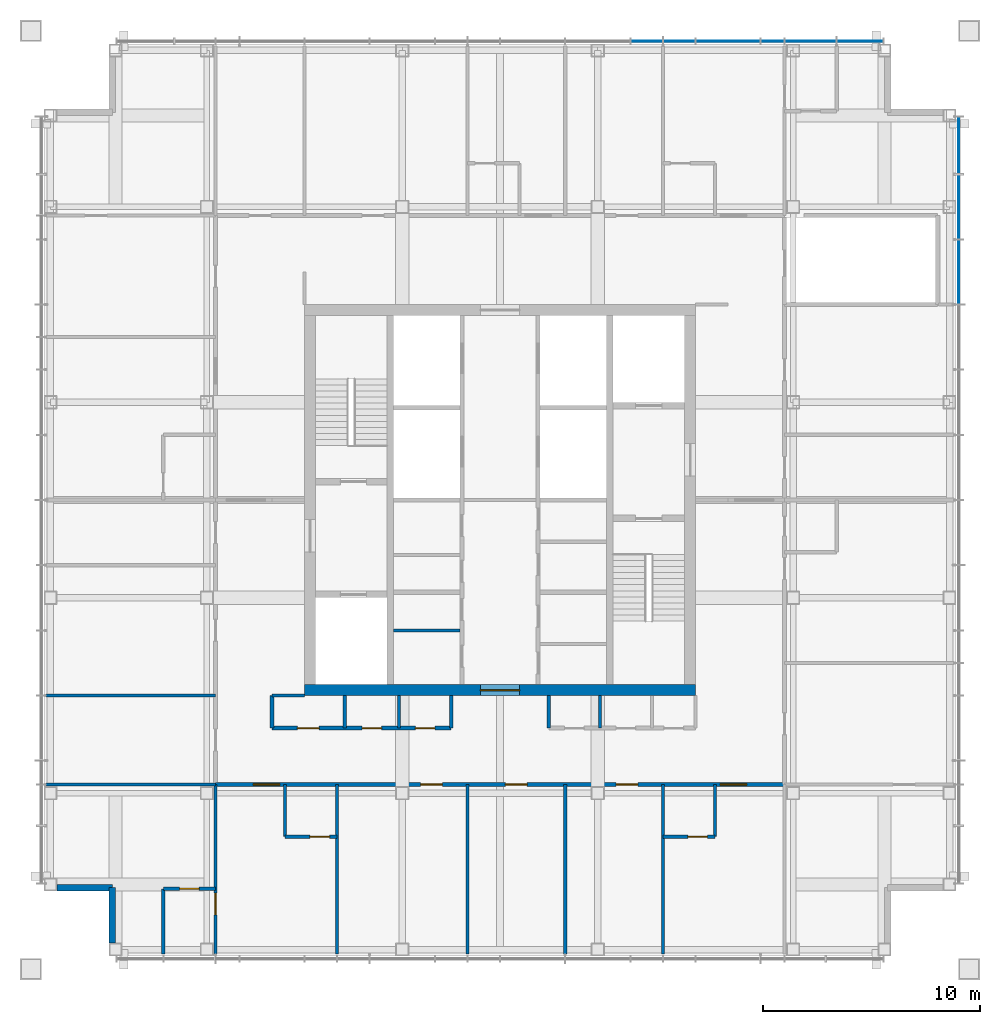
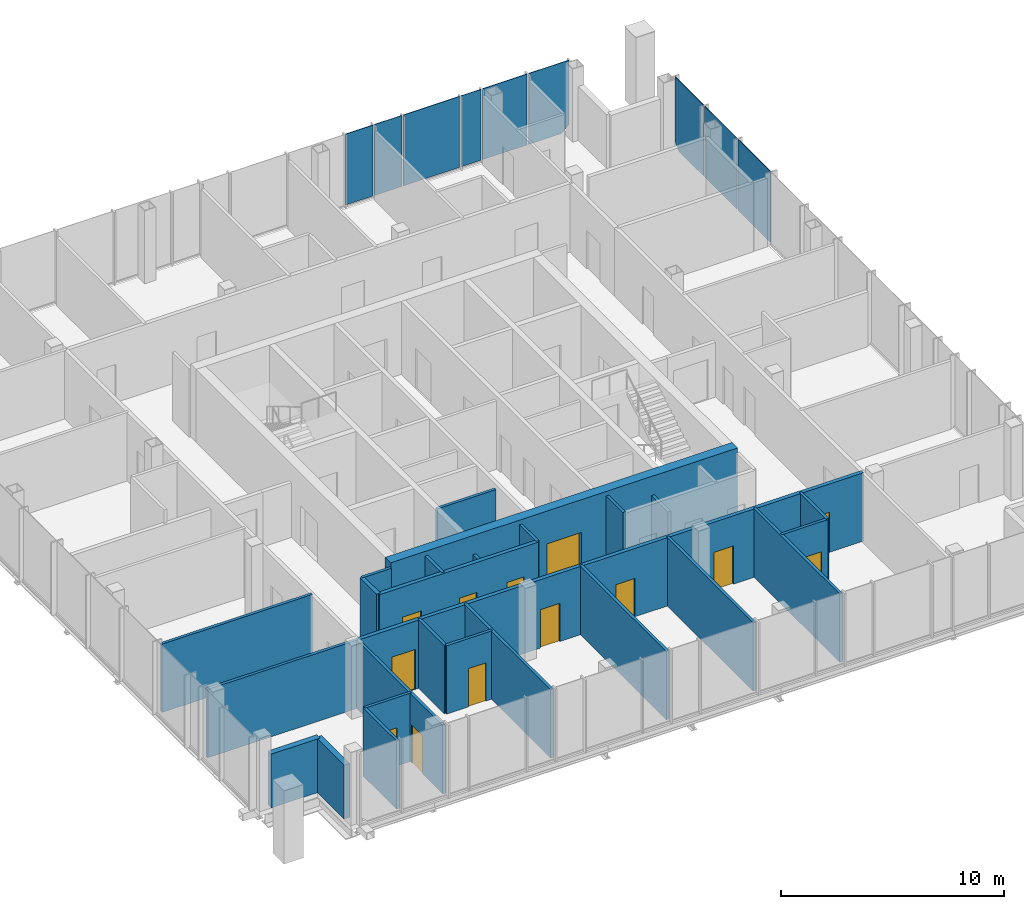
# One storey, part 7 of 12: 26 walls, 13 doors, 9 plates, 13 openings, 2 elements without a shape of their own.
"""IFC4 building model written with IfcOpenShell, lengths in metres."""

from ifc_helpers import new_model, si_unit, direction, frame, frame_2d, origin, origin_2d, place, context, subcontext, project, spatial, polyline, rectangle, outline, extrude, material, layer, layer_set, type_object, element, fill, aggregate, save


model = new_model("IFC4")

# Units and contexts
model_context = context("Model", 3, precision=1e-05, world=origin(), true_north=direction((0.0, 1.0)))
body_context = subcontext(model_context, "Body", "Model", "MODEL_VIEW")
ifc_project = project(units=[si_unit("LENGTHUNIT", "METRE"), si_unit("AREAUNIT", "SQUARE_METRE"), si_unit("VOLUMEUNIT", "CUBIC_METRE"), si_unit("PLANEANGLEUNIT", "RADIAN"), si_unit("MASSUNIT", "GRAM", prefix="KILO")], contexts=[model_context])

# Site, building, storey
site_placement = place(None, origin())
site = spatial("IfcSite", under=ifc_project, at=site_placement, CompositionType="ELEMENT")
building_placement = place(site_placement, origin())
building = spatial("IfcBuilding", under=site, at=building_placement, Name="Malebo Sky Hospital", CompositionType="ELEMENT")
storey_placement = place(building_placement, frame((0.0, 0.0, 286.0)))
storey = spatial("IfcBuildingStorey", under=building, at=storey_placement, Name="L69", CompositionType="ELEMENT", Elevation=286.0)

# Curtain wall, plates
ifc_material_1 = material(Name="Anodised aluminium, natural silver", Category="aluminium")
ifc_layer_1 = layer(ifc_material_1, 0.25)
ifc_layer_set_1 = layer_set([ifc_layer_1], Name="WARD CURTAIN WALL NORTH AND SOUTH")
curtain_wall_type_1 = type_object("IfcCurtainWallType", Name="WARD CURTAIN WALL NORTH AND SOUTH", PredefinedType="NOTDEFINED", material=ifc_layer_set_1)
curtain_wall_1_placement = place(storey_placement, origin())
curtain_wall_1 = element("IfcCurtainWall", 1, at=curtain_wall_1_placement, inside=storey, type_object=curtain_wall_type_1, Name="NS curtain wall N", PredefinedType="NOTDEFINED")
ifc_material_2 = material(Name="Clear low-iron double glazing", Category="glass")
ifc_layer_2 = layer(ifc_material_2, 0.031982421875)
ifc_layer_set_2 = layer_set([ifc_layer_2], Name="VISION PANEL CLEAR 32")
plate_type = type_object("IfcPlateType", Name="VISION PANEL CLEAR 32", PredefinedType="CURTAIN_PANEL", material=ifc_layer_set_2)
plate_1_placement = place(storey_placement, frame((66.75, 83.125, 0.10009765625), z_axis=(0.0, 0.0, 1.0), x_axis=(1.0, 0.0, 0.0)))
plate_1 = element("IfcPlate", 2, at=plate_1_placement, type_object=plate_type, Name="Panel 11", PredefinedType="CURTAIN_PANEL", context=body_context, shape_type="SweptSolid", body=[
    extrude(rectangle(XDim=1.425048828125, YDim=0.031982421875, at=origin_2d()), origin(), (0.0, 0.0, 1.0), 3.889892578125),
])
plate_2_placement = place(storey_placement, frame((68.25, 83.125, 0.10009765625), z_axis=(0.0, 0.0, 1.0), x_axis=(1.0, 0.0, 0.0)))
plate_2 = element("IfcPlate", 3, at=plate_2_placement, type_object=plate_type, Name="Panel 12", PredefinedType="CURTAIN_PANEL", context=body_context, shape_type="SweptSolid", body=[
    extrude(rectangle(XDim=1.425048828125, YDim=0.031982421875, at=origin_2d()), origin(), (0.0, 0.0, 1.0), 3.889892578125),
])
plate_3_placement = place(storey_placement, frame((70.5, 83.125, 0.10009765625), z_axis=(0.0, 0.0, 1.0), x_axis=(1.0, 0.0, 0.0)))
plate_3 = element("IfcPlate", 4, at=plate_3_placement, type_object=plate_type, Name="Panel 13", PredefinedType="CURTAIN_PANEL", context=body_context, shape_type="SweptSolid", body=[
    extrude(rectangle(XDim=2.925048828125, YDim=0.031982421875, at=origin_2d()), origin(), (0.0, 0.0, 1.0), 3.889892578125),
])
plate_4_placement = place(storey_placement, frame((72.550048828125, 83.125, 0.10009765625), z_axis=(0.0, 0.0, 1.0), x_axis=(1.0, 0.0, 0.0)))
plate_4 = element("IfcPlate", 5, at=plate_4_placement, type_object=plate_type, Name="Panel 14", PredefinedType="CURTAIN_PANEL", context=body_context, shape_type="SweptSolid", body=[
    extrude(rectangle(XDim=1.02490234375, YDim=0.031982421875, at=origin_2d()), origin(), (0.0, 0.0, 1.0), 3.889892578125),
])
plate_5_placement = place(storey_placement, frame((74.300048828125, 83.125, 0.10009765625), z_axis=(0.0, 0.0, 1.0), x_axis=(1.0, 0.0, 0.0)))
plate_5 = element("IfcPlate", 6, at=plate_5_placement, type_object=plate_type, Name="Panel 15", PredefinedType="CURTAIN_PANEL", context=body_context, shape_type="SweptSolid", body=[
    extrude(rectangle(XDim=2.324951171875, YDim=0.031982421875, at=origin_2d()), origin(), (0.0, 0.0, 1.0), 3.889892578125),
])
plate_6_placement = place(storey_placement, frame((76.581298828125, 83.125, 0.10009765625), z_axis=(0.0, 0.0, 1.0), x_axis=(1.0, 0.0, 0.0)))
plate_6 = element("IfcPlate", 7, at=plate_6_placement, type_object=plate_type, Name="Panel 16", PredefinedType="CURTAIN_PANEL", context=body_context, shape_type="SweptSolid", body=[
    extrude(outline(polyline([(-1.043701171875, 0.0), (0.658203125, 0.0), (1.043701171875, 0.361083984375), (1.043701171875, 3.889892578125), (-1.043701171875, 3.889892578125), (-1.043701171875, 0.0)])), frame((0.0, 0.01611328125, 0.0), z_axis=(0.0, -1.0, 0.0), x_axis=(1.0, 0.0, 0.0)), (0.0, 0.0, 1.0), 0.031982421875),
])
aggregate(curtain_wall_1, [plate_1, plate_2, plate_3, plate_4, plate_5, plate_6])

ifc_layer_3 = layer(ifc_material_1, 0.25)
ifc_layer_set_3 = layer_set([ifc_layer_3], Name="WARD CURTAIN WALL EAST AND WEST")
curtain_wall_type_2 = type_object("IfcCurtainWallType", Name="WARD CURTAIN WALL EAST AND WEST", PredefinedType="NOTDEFINED", material=ifc_layer_set_3)
curtain_wall_2_placement = place(storey_placement, origin())
curtain_wall_2 = element("IfcCurtainWall", 8, at=curtain_wall_2_placement, inside=storey, type_object=curtain_wall_type_2, Name="EW curtain wall E", PredefinedType="NOTDEFINED")
plate_7_placement = place(storey_placement, frame((81.125, 78.331298828125, 0.10009765625), z_axis=(0.0, 0.0, 1.0), x_axis=(0.0, -1.0, 0.0)))
plate_7 = element("IfcPlate", 9, at=plate_7_placement, type_object=plate_type, Name="Panel 1", PredefinedType="CURTAIN_PANEL", context=body_context, shape_type="SweptSolid", body=[
    extrude(outline(polyline([(-0.908203125, 0.0), (1.293701171875, 0.0), (1.293701171875, 3.889892578125), (-1.293701171875, 3.889892578125), (-1.293701171875, 0.361083984375), (-0.908203125, 0.0)])), frame((0.0, 0.01611328125, 0.0), z_axis=(0.0, -1.0, 0.0), x_axis=(1.0, 0.0, 0.0)), (0.0, 0.0, 1.0), 0.031982421875),
])
plate_8_placement = place(storey_placement, frame((81.125, 75.5, 0.10009765625), z_axis=(0.0, 0.0, 1.0), x_axis=(0.0, -1.0, 0.0)))
plate_8 = element("IfcPlate", 10, at=plate_8_placement, type_object=plate_type, Name="Panel 2", PredefinedType="CURTAIN_PANEL", context=body_context, shape_type="SweptSolid", body=[
    extrude(rectangle(XDim=2.925048828125, YDim=0.031982421875, at=origin_2d()), origin(), (0.0, 0.0, 1.0), 3.889892578125),
])
plate_9_placement = place(storey_placement, frame((81.125, 72.5, 0.10009765625), z_axis=(0.0, 0.0, 1.0), x_axis=(0.0, -1.0, 0.0)))
plate_9 = element("IfcPlate", 11, at=plate_9_placement, type_object=plate_type, Name="Panel 3", PredefinedType="CURTAIN_PANEL", context=body_context, shape_type="SweptSolid", body=[
    extrude(rectangle(XDim=2.925048828125, YDim=0.031982421875, at=origin_2d()), origin(), (0.0, 0.0, 1.0), 3.889892578125),
])
aggregate(curtain_wall_2, [plate_7, plate_8, plate_9])

# Wall, opening, door
ifc_material_3 = material(Name="Concrete C80/95", Category="concrete")
ifc_layer_4 = layer(ifc_material_3, 0.5)
ifc_layer_set_4 = layer_set([ifc_layer_4], Name="CORE WALL 500")
wall_type_1 = type_object("IfcWallType", Name="CORE WALL 500", PredefinedType="SHEAR", material=ifc_layer_set_4)
wall_1_placement = place(storey_placement, frame((51.0, 53.25, 0.0), z_axis=(0.0, 0.0, 1.0), x_axis=(1.0, 0.0, 0.0)))
wall_1 = element("IfcWall", 12, at=wall_1_placement, inside=storey, type_object=wall_type_1, Name="Core wall S L69", PredefinedType="SHEAR", context=body_context, shape_type="SweptSolid", body=[
    extrude(rectangle(XDim=18.0, YDim=0.5, at=frame_2d((9.0, 0.0))), origin(), (0.0, 0.0, 1.0), 4.0),
])
opening_1_placement = place(wall_1_placement, frame((8.10009765625, 0.0, 0.0)))
opening_1 = element("IfcOpeningElement", 13, at=opening_1_placement, cuts=wall_1, Name="Opening D06", PredefinedType="OPENING", context=body_context, shape_type="SweptSolid", body=[
    extrude(rectangle(XDim=1.800048828125, YDim=2.199951171875, at=frame_2d((0.89990234375, 1.10009765625))), frame((0.0, 0.260009765625, 0.0), z_axis=(0.0, -1.0, 0.0), x_axis=(1.0, 0.0, 0.0)), (0.0, 0.0, 1.0), 0.52001953125),
])
ifc_material_4 = material(Name="Hardwood-faced door leaf in steel frame", Category="steel")
door_type_1 = type_object("IfcDoorType", Name="LOBBY DOOR PAIR 1800", OperationType="DOUBLE_DOOR_SINGLE_SWING", PredefinedType="DOOR", material=ifc_material_4)
door_1_placement = place(opening_1_placement, origin())
door_1 = element("IfcDoor", 14, at=door_1_placement, inside=storey, type_object=door_type_1, Name="Service lobby door south", OperationType="DOUBLE_DOOR_SINGLE_SWING", OverallHeight=2.199951171875, OverallWidth=1.800048828125, PredefinedType="DOOR", context=body_context, shape_type="SweptSolid", body=[
    extrude(rectangle(XDim=1.800048828125, YDim=2.199951171875, at=frame_2d((0.89990234375, 1.10009765625))), frame((0.0, 0.02490234375, 0.0), z_axis=(0.0, -1.0, 0.0), x_axis=(1.0, 0.0, 0.0)), (0.0, 0.0, 1.0), 0.050048828125),
])
fill(opening_1, door_1)

# Wall
ifc_material_5 = material(Name="Gypsum board on steel studs", Category="steel")
ifc_layer_5 = layer(ifc_material_5, 0.199951171875)
ifc_layer_set_5 = layer_set([ifc_layer_5], Name="CORRIDOR WALL 200")
wall_type_2 = type_object("IfcWallType", Name="CORRIDOR WALL 200", PredefinedType="PARTITIONING", material=ifc_layer_set_5)
wall_2_placement = place(storey_placement, frame((49.5, 51.5, 0.0), z_axis=(0.0, 0.0, 1.0), x_axis=(0.0, 1.0, 0.0)))
element("IfcWall", 15, at=wall_2_placement, inside=storey, type_object=wall_type_2, Name="Corridor Wall 200 WCIK", PredefinedType="PARTITIONING", context=body_context, shape_type="SweptSolid", body=[
    extrude(rectangle(XDim=1.5, YDim=0.199951171875, at=frame_2d((0.75, 0.0))), origin(), (0.0, 0.0, 1.0), 3.75),
])

# Wall, openings, doors
wall_3_placement = place(storey_placement, frame((73.10009765625, 48.89990234375, 0.0), z_axis=(0.0, 0.0, 1.0), x_axis=(-1.0, 0.0, 0.0)))
wall_3 = element("IfcWall", 16, at=wall_3_placement, inside=storey, type_object=wall_type_2, Name="Corridor Wall 200 SCO", PredefinedType="PARTITIONING", context=body_context, shape_type="SweptSolid", body=[
    extrude(rectangle(XDim=26.2001953125, YDim=0.199951171875, at=frame_2d((13.10009765625, 0.0))), origin(), (0.0, 0.0, 1.0), 3.75),
])
opening_2_placement = place(wall_3_placement, frame((1.75, 0.0, 0.0)))
opening_2 = element("IfcOpeningElement", 17, at=opening_2_placement, cuts=wall_3, Name="Opening D01", PredefinedType="OPENING", context=body_context, shape_type="SweptSolid", body=[
    extrude(rectangle(XDim=1.199951171875, YDim=2.199951171875, at=frame_2d((0.60009765625, 1.10009765625))), frame((0.0, 0.10986328125, 0.0), z_axis=(0.0, -1.0, 0.0), x_axis=(1.0, 0.0, 0.0)), (0.0, 0.0, 1.0), 0.219970703125),
])
opening_3_placement = place(wall_3_placement, frame((6.75, 0.0, 0.0)))
opening_3 = element("IfcOpeningElement", 18, at=opening_3_placement, cuts=wall_3, Name="Opening D03", PredefinedType="OPENING", context=body_context, shape_type="SweptSolid", body=[
    extrude(rectangle(XDim=1.0, YDim=2.10009765625, at=frame_2d((0.5, 1.050048828125))), frame((0.0, 0.10986328125, 0.0), z_axis=(0.0, -1.0, 0.0), x_axis=(1.0, 0.0, 0.0)), (0.0, 0.0, 1.0), 0.219970703125),
])
opening_4_placement = place(wall_3_placement, frame((11.85009765625, 0.0, 0.0)))
opening_4 = element("IfcOpeningElement", 19, at=opening_4_placement, cuts=wall_3, Name="Opening D03", PredefinedType="OPENING", context=body_context, shape_type="SweptSolid", body=[
    extrude(rectangle(XDim=1.0, YDim=2.10009765625, at=frame_2d((0.5, 1.050048828125))), frame((0.0, 0.10986328125, 0.0), z_axis=(0.0, -1.0, 0.0), x_axis=(1.0, 0.0, 0.0)), (0.0, 0.0, 1.0), 0.219970703125),
])
opening_5_placement = place(wall_3_placement, frame((15.75, 0.0, 0.0)))
opening_5 = element("IfcOpeningElement", 20, at=opening_5_placement, cuts=wall_3, Name="Opening D03", PredefinedType="OPENING", context=body_context, shape_type="SweptSolid", body=[
    extrude(rectangle(XDim=1.0, YDim=2.10009765625, at=frame_2d((0.5, 1.050048828125))), frame((0.0, 0.10986328125, 0.0), z_axis=(0.0, -1.0, 0.0), x_axis=(1.0, 0.0, 0.0)), (0.0, 0.0, 1.0), 0.219970703125),
])
opening_6_placement = place(wall_3_placement, frame((23.25, 0.0, 0.0)))
opening_6 = element("IfcOpeningElement", 21, at=opening_6_placement, cuts=wall_3, Name="Opening D01", PredefinedType="OPENING", context=body_context, shape_type="SweptSolid", body=[
    extrude(rectangle(XDim=1.199951171875, YDim=2.199951171875, at=frame_2d((0.60009765625, 1.10009765625))), frame((0.0, 0.10986328125, 0.0), z_axis=(0.0, -1.0, 0.0), x_axis=(1.0, 0.0, 0.0)), (0.0, 0.0, 1.0), 0.219970703125),
])
door_type_2 = type_object("IfcDoorType", Name="BED DOOR 1200", OperationType="SINGLE_SWING_LEFT", PredefinedType="DOOR", material=ifc_material_4)
door_2_placement = place(opening_2_placement, origin())
door_2 = element("IfcDoor", 22, at=door_2_placement, inside=storey, type_object=door_type_2, Name="Single bed room door", OperationType="SINGLE_SWING_RIGHT", OverallHeight=2.199951171875, OverallWidth=1.199951171875, PredefinedType="DOOR", context=body_context, shape_type="SweptSolid", body=[
    extrude(rectangle(XDim=1.199951171875, YDim=2.199951171875, at=frame_2d((0.60009765625, 1.10009765625))), frame((0.0, 0.02490234375, 0.0), z_axis=(0.0, -1.0, 0.0), x_axis=(1.0, 0.0, 0.0)), (0.0, 0.0, 1.0), 0.050048828125),
])
fill(opening_2, door_2)
door_3_placement = place(opening_6_placement, origin())
door_3 = element("IfcDoor", 23, at=door_3_placement, inside=storey, type_object=door_type_2, Name="Family suite door", OperationType="SINGLE_SWING_LEFT", OverallHeight=2.199951171875, OverallWidth=1.199951171875, PredefinedType="DOOR", context=body_context, shape_type="SweptSolid", body=[
    extrude(rectangle(XDim=1.199951171875, YDim=2.199951171875, at=frame_2d((0.60009765625, 1.10009765625))), frame((0.0, 0.02490234375, 0.0), z_axis=(0.0, -1.0, 0.0), x_axis=(1.0, 0.0, 0.0)), (0.0, 0.0, 1.0), 0.050048828125),
])
fill(opening_6, door_3)
door_type_3 = type_object("IfcDoorType", Name="ROOM DOOR 1000", OperationType="SINGLE_SWING_LEFT", PredefinedType="DOOR", material=ifc_material_4)
door_4_placement = place(opening_3_placement, origin())
door_4 = element("IfcDoor", 24, at=door_4_placement, inside=storey, type_object=door_type_3, Name="Treatment room door", OperationType="SINGLE_SWING_LEFT", OverallHeight=2.10009765625, OverallWidth=1.0, PredefinedType="DOOR", context=body_context, shape_type="SweptSolid", body=[
    extrude(rectangle(XDim=1.0, YDim=2.10009765625, at=frame_2d((0.5, 1.050048828125))), frame((0.0, 0.02490234375, 0.0), z_axis=(0.0, -1.0, 0.0), x_axis=(1.0, 0.0, 0.0)), (0.0, 0.0, 1.0), 0.050048828125),
])
fill(opening_3, door_4)
door_5_placement = place(opening_4_placement, origin())
door_5 = element("IfcDoor", 25, at=door_5_placement, inside=storey, type_object=door_type_3, Name="Ward pantry door", OperationType="SINGLE_SWING_LEFT", OverallHeight=2.10009765625, OverallWidth=1.0, PredefinedType="DOOR", context=body_context, shape_type="SweptSolid", body=[
    extrude(rectangle(XDim=1.0, YDim=2.10009765625, at=frame_2d((0.5, 1.050048828125))), frame((0.0, 0.02490234375, 0.0), z_axis=(0.0, -1.0, 0.0), x_axis=(1.0, 0.0, 0.0)), (0.0, 0.0, 1.0), 0.050048828125),
])
fill(opening_4, door_5)
door_6_placement = place(opening_5_placement, origin())
door_6 = element("IfcDoor", 26, at=door_6_placement, inside=storey, type_object=door_type_3, Name="Dirty utility room door", OperationType="SINGLE_SWING_LEFT", OverallHeight=2.10009765625, OverallWidth=1.0, PredefinedType="DOOR", context=body_context, shape_type="SweptSolid", body=[
    extrude(rectangle(XDim=1.0, YDim=2.10009765625, at=frame_2d((0.5, 1.050048828125))), frame((0.0, 0.02490234375, 0.0), z_axis=(0.0, -1.0, 0.0), x_axis=(1.0, 0.0, 0.0)), (0.0, 0.0, 1.0), 0.050048828125),
])
fill(opening_5, door_6)

wall_4_placement = place(storey_placement, frame((57.75, 51.5, 0.0), z_axis=(0.0, 0.0, 1.0), x_axis=(-1.0, 0.0, 0.0)))
wall_4 = element("IfcWall", 27, at=wall_4_placement, inside=storey, type_object=wall_type_2, Name="Corridor Wall 200 SCI2", PredefinedType="PARTITIONING", context=body_context, shape_type="SweptSolid", body=[
    extrude(rectangle(XDim=8.25, YDim=0.199951171875, at=frame_2d((4.125, 0.0))), origin(), (0.0, 0.0, 1.0), 3.75),
])
opening_7_placement = place(wall_4_placement, frame((0.75, 0.0, 0.0)))
opening_7 = element("IfcOpeningElement", 28, at=opening_7_placement, cuts=wall_4, Name="Opening D04", PredefinedType="OPENING", context=body_context, shape_type="SweptSolid", body=[
    extrude(rectangle(XDim=0.89990234375, YDim=2.10009765625, at=frame_2d((0.449951171875, 1.050048828125))), frame((0.0, 0.10986328125, 0.0), z_axis=(0.0, -1.0, 0.0), x_axis=(1.0, 0.0, 0.0)), (0.0, 0.0, 1.0), 0.219970703125),
])
opening_8_placement = place(wall_4_placement, frame((3.199951171875, 0.0, 0.0)))
opening_8 = element("IfcOpeningElement", 29, at=opening_8_placement, cuts=wall_4, Name="Opening D04", PredefinedType="OPENING", context=body_context, shape_type="SweptSolid", body=[
    extrude(rectangle(XDim=0.89990234375, YDim=2.10009765625, at=frame_2d((0.449951171875, 1.050048828125))), frame((0.0, 0.10986328125, 0.0), z_axis=(0.0, -1.0, 0.0), x_axis=(1.0, 0.0, 0.0)), (0.0, 0.0, 1.0), 0.219970703125),
])
opening_9_placement = place(wall_4_placement, frame((6.074951171875, 0.0, 0.0)))
opening_9 = element("IfcOpeningElement", 30, at=opening_9_placement, cuts=wall_4, Name="Opening D03", PredefinedType="OPENING", context=body_context, shape_type="SweptSolid", body=[
    extrude(rectangle(XDim=1.0, YDim=2.10009765625, at=frame_2d((0.5, 1.050048828125))), frame((0.0, 0.10986328125, 0.0), z_axis=(0.0, -1.0, 0.0), x_axis=(1.0, 0.0, 0.0)), (0.0, 0.0, 1.0), 0.219970703125),
])
door_7_placement = place(opening_9_placement, origin())
door_7 = element("IfcDoor", 31, at=door_7_placement, inside=storey, type_object=door_type_3, Name="Supplies store door", OperationType="SINGLE_SWING_RIGHT", OverallHeight=2.10009765625, OverallWidth=1.0, PredefinedType="DOOR", context=body_context, shape_type="SweptSolid", body=[
    extrude(rectangle(XDim=1.0, YDim=2.10009765625, at=frame_2d((0.5, 1.050048828125))), frame((0.0, 0.02490234375, 0.0), z_axis=(0.0, -1.0, 0.0), x_axis=(1.0, 0.0, 0.0)), (0.0, 0.0, 1.0), 0.050048828125),
])
fill(opening_9, door_7)
door_type_4 = type_object("IfcDoorType", Name="ROOM DOOR 900", OperationType="SINGLE_SWING_LEFT", PredefinedType="DOOR", material=ifc_material_4)
door_8_placement = place(opening_7_placement, origin())
door_8 = element("IfcDoor", 32, at=door_8_placement, inside=storey, type_object=door_type_4, Name="Communications room door", OperationType="SINGLE_SWING_LEFT", OverallHeight=2.10009765625, OverallWidth=0.89990234375, PredefinedType="DOOR", context=body_context, shape_type="SweptSolid", body=[
    extrude(rectangle(XDim=0.89990234375, YDim=2.10009765625, at=frame_2d((0.449951171875, 1.050048828125))), frame((0.0, 0.02490234375, 0.0), z_axis=(0.0, -1.0, 0.0), x_axis=(1.0, 0.0, 0.0)), (0.0, 0.0, 1.0), 0.050048828125),
])
fill(opening_7, door_8)
door_9_placement = place(opening_8_placement, origin())
door_9 = element("IfcDoor", 33, at=door_9_placement, inside=storey, type_object=door_type_4, Name="Equipment store door", OperationType="SINGLE_SWING_LEFT", OverallHeight=2.10009765625, OverallWidth=0.89990234375, PredefinedType="DOOR", context=body_context, shape_type="SweptSolid", body=[
    extrude(rectangle(XDim=0.89990234375, YDim=2.10009765625, at=frame_2d((0.449951171875, 1.050048828125))), frame((0.0, 0.02490234375, 0.0), z_axis=(0.0, -1.0, 0.0), x_axis=(1.0, 0.0, 0.0)), (0.0, 0.0, 1.0), 0.050048828125),
])
fill(opening_8, door_9)

# Walls
ifc_material_6 = material(Name="Anodised aluminium rainscreen on steel framing", Category="steel")
ifc_layer_6 = layer(ifc_material_6, 0.300048828125)
ifc_layer_set_6 = layer_set([ifc_layer_6], Name="NOTCH RAINSCREEN WALL 300")
wall_type_3 = type_object("IfcWallType", Name="NOTCH RAINSCREEN WALL 300", PredefinedType="ELEMENTEDWALL", material=ifc_layer_set_6)
for number, where, z_axis, x_axis, name in (
    (34, (42.14990234375, 41.60009765625, 0.0), (0.0, 0.0, 1.0), (0.0, 1.0, 0.0), "Notch rainscreen wall S1 L69"),
    (35, (42.14990234375, 44.14990234375, 0.0), (0.0, 0.0, 1.0), (-1.0, 0.0, 0.0), "Notch rainscreen wall S2 L69"),
):
    element("IfcWall", number, at=place(storey_placement, frame(where, z_axis=z_axis, x_axis=x_axis)), inside=storey, type_object=wall_type_3, Name=name, PredefinedType="ELEMENTEDWALL", context=body_context, shape_type="SweptSolid", body=[
        extrude(rectangle(XDim=2.5498046875, YDim=0.300048828125, at=frame_2d((1.27490234375, 0.0))), origin(), (0.0, 0.0, 1.0), 2.949951171875),
    ])
ifc_layer_7 = layer(ifc_material_5, 0.14990234375)
ifc_layer_set_7 = layer_set([ifc_layer_7], Name="PARTITION 150")
wall_type_4 = type_object("IfcWallType", Name="PARTITION 150", PredefinedType="PARTITIONING", material=ifc_layer_set_7)
for number, where, z_axis, x_axis, name in (
    (36, (46.89990234375, 53.0, 0.0), (0.0, 0.0, 1.0), (-1.0, 0.0, 0.0), "Partition 150 WP-9.0"),
    (37, (46.89990234375, 48.89990234375, 0.0), (0.0, 0.0, 1.0), (-1.0, 0.0, 0.0), "Partition 150 WP0"),
):
    element("IfcWall", number, at=place(storey_placement, frame(where, z_axis=z_axis, x_axis=x_axis)), inside=storey, type_object=wall_type_4, Name=name, PredefinedType="PARTITIONING", context=body_context, shape_type="SweptSolid", body=[
        extrude(rectangle(XDim=7.7998046875, YDim=0.14990234375, at=frame_2d((3.89990234375, 0.0))), origin(), (0.0, 0.0, 1.0), 3.75),
    ])
wall_5_placement = place(storey_placement, frame((51.0, 53.0, 0.0), z_axis=(0.0, 0.0, 1.0), x_axis=(-1.0, 0.0, 0.0)))
element("IfcWall", 38, at=wall_5_placement, inside=storey, type_object=wall_type_4, Name="Partition 150 WSP0", PredefinedType="PARTITIONING", context=body_context, shape_type="SweptSolid", body=[
    extrude(rectangle(XDim=1.5, YDim=0.14990234375, at=frame_2d((0.75, 0.0))), origin(), (0.0, 0.0, 1.0), 3.75),
])
for number, where, z_axis, x_axis, name in (
    (39, (67.5, 48.89990234375, 0.0), (0.0, 0.0, 1.0), (0.0, -1.0, 0.0), "Partition 150 SP-7.5"),
    (40, (63.0, 48.89990234375, 0.0), (0.0, 0.0, 1.0), (0.0, -1.0, 0.0), "Partition 150 SP-3.0"),
    (41, (58.5, 48.89990234375, 0.0), (0.0, 0.0, 1.0), (0.0, -1.0, 0.0), "Partition 150 SP+1.5"),
    (42, (52.5, 48.89990234375, 0.0), (0.0, 0.0, 1.0), (0.0, -1.0, 0.0), "Partition 150 SP+7.5"),
):
    element("IfcWall", number, at=place(storey_placement, frame(where, z_axis=z_axis, x_axis=x_axis)), inside=storey, type_object=wall_type_4, Name=name, PredefinedType="PARTITIONING", context=body_context, shape_type="SweptSolid", body=[
        extrude(rectangle(XDim=7.7998046875, YDim=0.14990234375, at=frame_2d((3.89990234375, 0.0))), origin(), (0.0, 0.0, 1.0), 3.75),
    ])

# Wall, opening, door
wall_6_placement = place(storey_placement, frame((69.89990234375, 46.5, 0.0), z_axis=(0.0, 0.0, 1.0), x_axis=(-1.0, 0.0, 0.0)))
wall_6 = element("IfcWall", 43, at=wall_6_placement, inside=storey, type_object=wall_type_4, Name="Partition 150 SE0F", PredefinedType="PARTITIONING", context=body_context, shape_type="SweptSolid", body=[
    extrude(rectangle(XDim=2.39990234375, YDim=0.14990234375, at=frame_2d((1.199951171875, 0.0))), origin(), (0.0, 0.0, 1.0), 3.75),
])
opening_10_placement = place(wall_6_placement, frame((0.35009765625, 0.0, 0.0)))
opening_10 = element("IfcOpeningElement", 44, at=opening_10_placement, cuts=wall_6, Name="Opening D02", PredefinedType="OPENING", context=body_context, shape_type="SweptSolid", body=[
    extrude(rectangle(XDim=0.89990234375, YDim=2.10009765625, at=frame_2d((0.449951171875, 1.050048828125))), frame((0.0, 0.0849609375, 0.0), z_axis=(0.0, -1.0, 0.0), x_axis=(1.0, 0.0, 0.0)), (0.0, 0.0, 1.0), 0.169921875),
])
door_type_5 = type_object("IfcDoorType", Name="EN-SUITE DOOR 900", OperationType="SINGLE_SWING_LEFT", PredefinedType="DOOR", material=ifc_material_4)
door_10_placement = place(opening_10_placement, origin())
door_10 = element("IfcDoor", 45, at=door_10_placement, inside=storey, type_object=door_type_5, Name="En-suite door", OperationType="SINGLE_SWING_LEFT", OverallHeight=2.10009765625, OverallWidth=0.89990234375, PredefinedType="DOOR", context=body_context, shape_type="SweptSolid", body=[
    extrude(rectangle(XDim=0.89990234375, YDim=2.10009765625, at=frame_2d((0.449951171875, 1.050048828125))), frame((0.0, 0.02490234375, 0.0), z_axis=(0.0, -1.0, 0.0), x_axis=(1.0, 0.0, 0.0)), (0.0, 0.0, 1.0), 0.050048828125),
])
fill(opening_10, door_10)

# Wall
wall_7_placement = place(storey_placement, frame((69.89990234375, 48.89990234375, 0.0), z_axis=(0.0, 0.0, 1.0), x_axis=(0.0, -1.0, 0.0)))
element("IfcWall", 46, at=wall_7_placement, inside=storey, type_object=wall_type_4, Name="Partition 150 SE0S", PredefinedType="PARTITIONING", context=body_context, shape_type="SweptSolid", body=[
    extrude(rectangle(XDim=2.39990234375, YDim=0.14990234375, at=frame_2d((1.199951171875, 0.0))), origin(), (0.0, 0.0, 1.0), 3.75),
])

# Wall, opening, door
wall_8_placement = place(storey_placement, frame((46.89990234375, 48.89990234375, 0.0), z_axis=(0.0, 0.0, 1.0), x_axis=(0.0, -1.0, 0.0)))
wall_8 = element("IfcWall", 47, at=wall_8_placement, inside=storey, type_object=wall_type_4, Name="Partition 150 SK", PredefinedType="PARTITIONING", context=body_context, shape_type="SweptSolid", body=[
    extrude(rectangle(XDim=7.7998046875, YDim=0.14990234375, at=frame_2d((3.89990234375, 0.0))), origin(), (0.0, 0.0, 1.0), 3.75),
])
opening_11_placement = place(wall_8_placement, frame((5.0, 0.0, 0.0)))
opening_11 = element("IfcOpeningElement", 48, at=opening_11_placement, cuts=wall_8, Name="Opening D03", PredefinedType="OPENING", context=body_context, shape_type="SweptSolid", body=[
    extrude(rectangle(XDim=1.0, YDim=2.10009765625, at=frame_2d((0.5, 1.050048828125))), frame((0.0, 0.0849609375, 0.0), z_axis=(0.0, -1.0, 0.0), x_axis=(1.0, 0.0, 0.0)), (0.0, 0.0, 1.0), 0.169921875),
])
door_11_placement = place(opening_11_placement, origin())
door_11 = element("IfcDoor", 49, at=door_11_placement, inside=storey, type_object=door_type_3, Name="Family suite sitting room door", OperationType="SINGLE_SWING_LEFT", OverallHeight=2.10009765625, OverallWidth=1.0, PredefinedType="DOOR", context=body_context, shape_type="SweptSolid", body=[
    extrude(rectangle(XDim=1.0, YDim=2.10009765625, at=frame_2d((0.5, 1.050048828125))), frame((0.0, 0.02490234375, 0.0), z_axis=(0.0, -1.0, 0.0), x_axis=(1.0, 0.0, 0.0)), (0.0, 0.0, 1.0), 0.050048828125),
])
fill(opening_11, door_11)

wall_9_placement = place(storey_placement, frame((46.89990234375, 44.10009765625, 0.0), z_axis=(0.0, 0.0, 1.0), x_axis=(-1.0, 0.0, 0.0)))
wall_9 = element("IfcWall", 50, at=wall_9_placement, inside=storey, type_object=wall_type_4, Name="Partition 150 SKF", PredefinedType="PARTITIONING", context=body_context, shape_type="SweptSolid", body=[
    extrude(rectangle(XDim=2.39990234375, YDim=0.14990234375, at=frame_2d((1.199951171875, 0.0))), origin(), (0.0, 0.0, 1.0), 3.75),
])
opening_12_placement = place(wall_9_placement, frame((0.75, 0.0, 0.0)))
opening_12 = element("IfcOpeningElement", 51, at=opening_12_placement, cuts=wall_9, Name="Opening D02", PredefinedType="OPENING", context=body_context, shape_type="SweptSolid", body=[
    extrude(rectangle(XDim=0.89990234375, YDim=2.10009765625, at=frame_2d((0.449951171875, 1.050048828125))), frame((0.0, 0.0849609375, 0.0), z_axis=(0.0, -1.0, 0.0), x_axis=(1.0, 0.0, 0.0)), (0.0, 0.0, 1.0), 0.169921875),
])
door_12_placement = place(opening_12_placement, origin())
door_12 = element("IfcDoor", 52, at=door_12_placement, inside=storey, type_object=door_type_5, Name="Shower room door", OperationType="SINGLE_SWING_LEFT", OverallHeight=2.10009765625, OverallWidth=0.89990234375, PredefinedType="DOOR", context=body_context, shape_type="SweptSolid", body=[
    extrude(rectangle(XDim=0.89990234375, YDim=2.10009765625, at=frame_2d((0.449951171875, 1.050048828125))), frame((0.0, 0.02490234375, 0.0), z_axis=(0.0, -1.0, 0.0), x_axis=(1.0, 0.0, 0.0)), (0.0, 0.0, 1.0), 0.050048828125),
])
fill(opening_12, door_12)

# Wall
wall_10_placement = place(storey_placement, frame((44.5, 44.10009765625, 0.0), z_axis=(0.0, 0.0, 1.0), x_axis=(0.0, -1.0, 0.0)))
element("IfcWall", 53, at=wall_10_placement, inside=storey, type_object=wall_type_4, Name="Partition 150 SKS", PredefinedType="PARTITIONING", context=body_context, shape_type="SweptSolid", body=[
    extrude(rectangle(XDim=3.0, YDim=0.14990234375, at=frame_2d((1.5, 0.0))), origin(), (0.0, 0.0, 1.0), 3.75),
])

# Wall, opening, door
wall_11_placement = place(storey_placement, frame((52.5, 46.5, 0.0), z_axis=(0.0, 0.0, 1.0), x_axis=(-1.0, 0.0, 0.0)))
wall_11 = element("IfcWall", 54, at=wall_11_placement, inside=storey, type_object=wall_type_4, Name="Partition 150 SE4F", PredefinedType="PARTITIONING", context=body_context, shape_type="SweptSolid", body=[
    extrude(rectangle(XDim=2.39990234375, YDim=0.14990234375, at=frame_2d((1.199951171875, 0.0))), origin(), (0.0, 0.0, 1.0), 3.75),
])
opening_13_placement = place(wall_11_placement, frame((0.35009765625, 0.0, 0.0)))
opening_13 = element("IfcOpeningElement", 55, at=opening_13_placement, cuts=wall_11, Name="Opening D02", PredefinedType="OPENING", context=body_context, shape_type="SweptSolid", body=[
    extrude(rectangle(XDim=0.89990234375, YDim=2.10009765625, at=frame_2d((0.449951171875, 1.050048828125))), frame((0.0, 0.0849609375, 0.0), z_axis=(0.0, -1.0, 0.0), x_axis=(1.0, 0.0, 0.0)), (0.0, 0.0, 1.0), 0.169921875),
])
door_13_placement = place(opening_13_placement, origin())
door_13 = element("IfcDoor", 56, at=door_13_placement, inside=storey, type_object=door_type_5, Name="En-suite door", OperationType="SINGLE_SWING_LEFT", OverallHeight=2.10009765625, OverallWidth=0.89990234375, PredefinedType="DOOR", context=body_context, shape_type="SweptSolid", body=[
    extrude(rectangle(XDim=0.89990234375, YDim=2.10009765625, at=frame_2d((0.449951171875, 1.050048828125))), frame((0.0, 0.02490234375, 0.0), z_axis=(0.0, -1.0, 0.0), x_axis=(1.0, 0.0, 0.0)), (0.0, 0.0, 1.0), 0.050048828125),
])
fill(opening_13, door_13)

# Walls
wall_12_placement = place(storey_placement, frame((50.10009765625, 48.89990234375, 0.0), z_axis=(0.0, 0.0, 1.0), x_axis=(0.0, -1.0, 0.0)))
element("IfcWall", 57, at=wall_12_placement, inside=storey, type_object=wall_type_4, Name="Partition 150 SE4S", PredefinedType="PARTITIONING", context=body_context, shape_type="SweptSolid", body=[
    extrude(rectangle(XDim=2.39990234375, YDim=0.14990234375, at=frame_2d((1.199951171875, 0.0))), origin(), (0.0, 0.0, 1.0), 3.75),
])
for number, where, z_axis, x_axis, name in (
    (58, (62.25, 53.0, 0.0), (0.0, 0.0, 1.0), (0.0, -1.0, 0.0), "Partition 150 SSPA"),
    (59, (57.75, 53.0, 0.0), (0.0, 0.0, 1.0), (0.0, -1.0, 0.0), "Partition 150 SSPB"),
):
    element("IfcWall", number, at=place(storey_placement, frame(where, z_axis=z_axis, x_axis=x_axis)), inside=storey, type_object=wall_type_4, Name=name, PredefinedType="PARTITIONING", context=body_context, shape_type="SweptSolid", body=[
        extrude(rectangle(XDim=1.5, YDim=0.14990234375, at=frame_2d((0.75, 0.0))), origin(), (0.0, 0.0, 1.0), 3.75),
    ])
for number, where, z_axis, x_axis, name in (
    (60, (64.60009765625, 53.0, 0.0), (0.0, 0.0, 1.0), (0.0, -1.0, 0.0), "Partition 150 SSP-4.6"),
    (61, (55.35009765625, 53.0, 0.0), (0.0, 0.0, 1.0), (0.0, -1.0, 0.0), "Partition 150 SSP+4.7"),
):
    element("IfcWall", number, at=place(storey_placement, frame(where, z_axis=z_axis, x_axis=x_axis)), inside=storey, type_object=wall_type_4, Name=name, PredefinedType="PARTITIONING", context=body_context, shape_type="SweptSolid", body=[
        extrude(rectangle(XDim=1.5, YDim=0.14990234375, at=frame_2d((0.75, 0.0))), origin(), (0.0, 0.0, 1.0), 2.949951171875),
    ])
wall_13_placement = place(storey_placement, frame((52.85009765625, 53.0, 0.0), z_axis=(0.0, 0.0, 1.0), x_axis=(0.0, -1.0, 0.0)))
element("IfcWall", 62, at=wall_13_placement, inside=storey, type_object=wall_type_4, Name="Partition 150 SSP+7.2", PredefinedType="PARTITIONING", context=body_context, shape_type="SweptSolid", body=[
    extrude(rectangle(XDim=1.5, YDim=0.14990234375, at=frame_2d((0.75, 0.0))), origin(), (0.0, 0.0, 1.0), 3.75),
])
wall_14_placement = place(storey_placement, frame((55.10009765625, 55.989990234375, 0.0), z_axis=(0.0, 0.0, 1.0), x_axis=(1.0, 0.0, 0.0)))
element("IfcWall", 63, at=wall_14_placement, inside=storey, type_object=wall_type_4, Name="Partition 150 SHW1", PredefinedType="PARTITIONING", context=body_context, shape_type="SweptSolid", body=[
    extrude(rectangle(XDim=3.0498046875, YDim=0.14990234375, at=frame_2d((1.52490234375, 0.0))), origin(), (0.0, 0.0, 1.0), 3.75),
])

save(model, "model.ifc")
